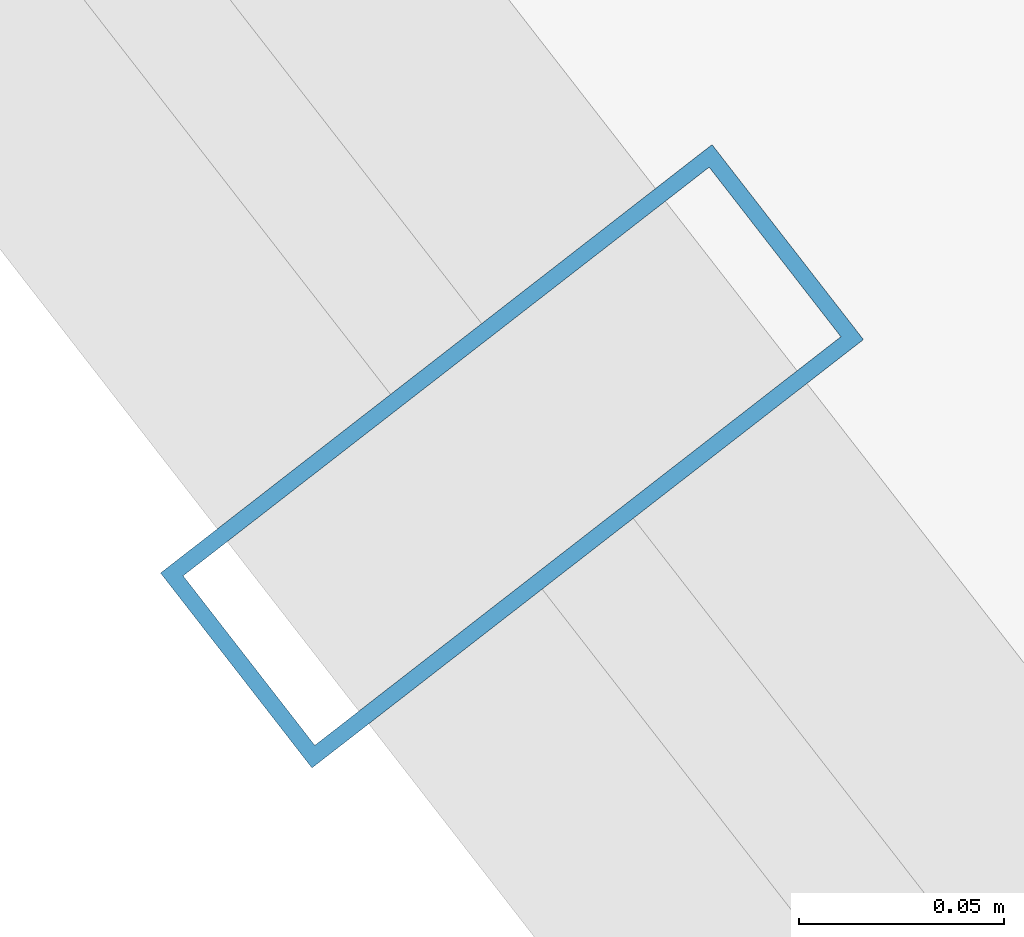
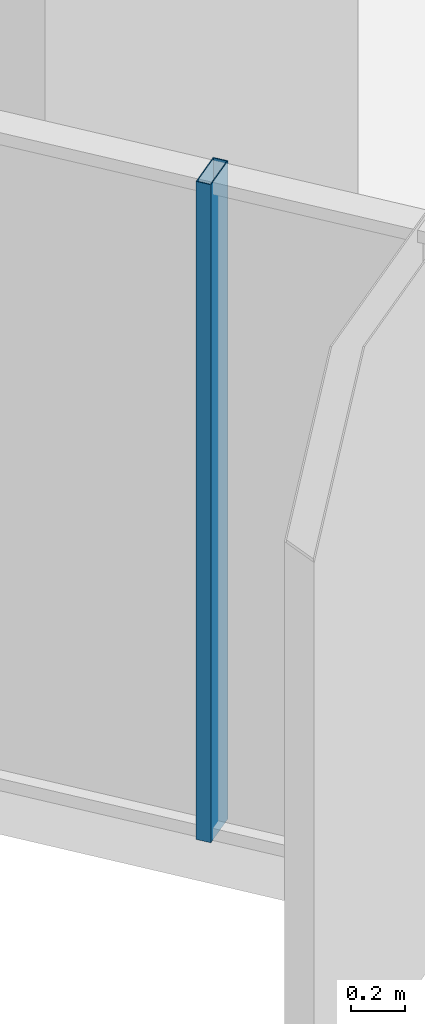
# One storey, part 4 of 37: 1 member, 1 element without a shape of its own.
"""IFC4 building model written with IfcOpenShell, lengths in metres."""

from ifc_helpers import new_model, si_unit, direction, frame, origin, origin_2d, place, context, subcontext, project, spatial, hollow_rectangle, extrude, source, transform, mapped, material, layer, layer_set, material_profile, profile_set, type_object, element, aggregate, save


model = new_model("IFC4")

# Units and contexts
model_context = context("Model", 3, precision=1e-05, world=origin(), true_north=direction((0.0, 1.0)))
body_context = subcontext(model_context, "Body", "Model", "MODEL_VIEW")
ifc_project = project(units=[si_unit("LENGTHUNIT", "METRE"), si_unit("AREAUNIT", "SQUARE_METRE"), si_unit("VOLUMEUNIT", "CUBIC_METRE"), si_unit("PLANEANGLEUNIT", "RADIAN"), si_unit("MASSUNIT", "GRAM", prefix="KILO")], contexts=[model_context])

# Site, building, storey
site_placement = place(None, origin())
site = spatial("IfcSite", under=ifc_project, at=site_placement, CompositionType="ELEMENT")
building_placement = place(site_placement, origin())
building = spatial("IfcBuilding", under=site, at=building_placement, Name="Veraguas Prism Commons", CompositionType="ELEMENT")
storey_placement = place(building_placement, frame((0.0, 0.0, 50.050048828125)))
storey = spatial("IfcBuildingStorey", under=building, at=storey_placement, Name="L13", CompositionType="ELEMENT", Elevation=50.050048828125)

# Curtain wall, member
ifc_material = material(Name="Anodised aluminium EN AW-6063 T6", Category="aluminium")
ifc_layer = layer(ifc_material, 0.169921875, Name="Unitised Flush Curtain Wall Zone 1", Category="aluminium")
ifc_layer_set = layer_set([ifc_layer], Name="Anodised aluminium EN AW-6063 T6")
curtain_wall_type = type_object("IfcCurtainWallType", Name="Unitised Flush Curtain Wall Zone 1", PredefinedType="NOTDEFINED", material=ifc_layer_set)
curtain_wall_placement = place(storey_placement, origin())
curtain_wall = element("IfcCurtainWall", 1, at=curtain_wall_placement, inside=storey, type_object=curtain_wall_type, Name="Tower Facade Curtain Wall L13-F4", PredefinedType="NOTDEFINED")
ifc_material_profile = material_profile(ifc_material, hollow_rectangle(XDim=0.06005859375, YDim=0.169921875, WallThickness=0.00390625, at=origin_2d()), Name="AL60X170X4")
ifc_profile_set = profile_set([ifc_material_profile], Name="Anodised aluminium EN AW-6063 T6")
member_type = type_object("IfcMemberType", Name="Curtain Wall Mullion Lower AL 60x170x4", PredefinedType="MULLION", material=ifc_profile_set)
shared_shape = source(origin(), body_context, "Body", "SweptSolid", [
    extrude(hollow_rectangle(XDim=0.06005859375, YDim=0.169921875, WallThickness=0.00390625, at=origin_2d()), origin(), (0.0, 0.0, 1.0), 3.0),
])
member_placement = place(storey_placement, frame((4.720458984375, 14.938232421875, 0.0), z_axis=(0.0, 0.0, 1.0), x_axis=(0.613461293172, -0.789724788632, 0.0)))
member = element("IfcMember", 2, at=member_placement, type_object=member_type, Name="CW-Z1 Mullion 2", PredefinedType="MULLION", context=body_context, shape_type="MappedRepresentation", body=[
    mapped(shared_shape, transform((0.0, 0.0, 0.0), scale=1.0)),
])
aggregate(curtain_wall, [member])

save(model, "model.ifc")
